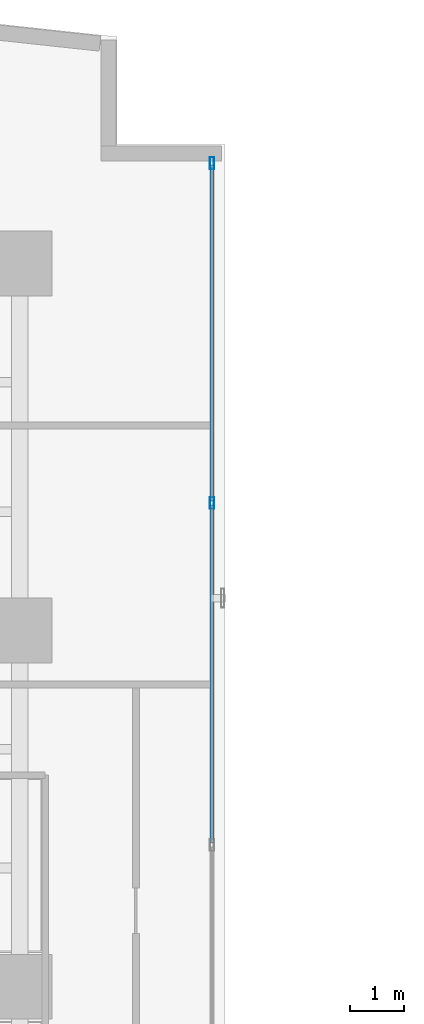
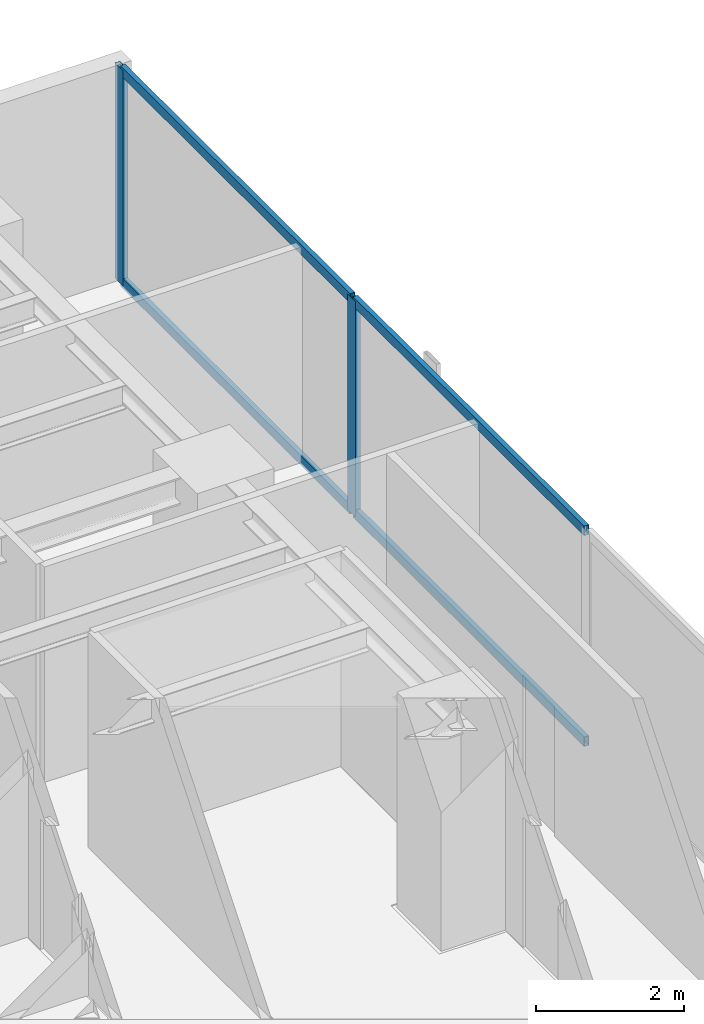
# One storey, part 17 of 26: 6 members, 1 element without a shape of its own.
"""IFC4 building model written with IfcOpenShell, lengths in metres."""

import ifcopenshell
import ifcopenshell.guid

model = None  # the IFC model being written
_history = None  # IfcOwnerHistory: only IFC2X3 demands one
_inside = {}  # id of a spatial element -> (the spatial element, [elements in it])
_under = {}  # id of a project, library or spatial element -> (it, [spatial elements below it])
_declared = {}  # id of a project -> (the project, [libraries it declares])
_typed = {}  # id of a type object -> (the type object, [elements of that type])
_made_of = {}  # id of a material, layer set ... -> (it, [elements and type objects made of it])


def new_model(schema):
    """Start an empty IFC model of exactly this schema.

    Asked for "IFC4X3", IfcOpenShell would pick the latest addendum, in which some entities
    have other attributes; the version numbers below select the first issue.
    IFC2X3 requires an IfcOwnerHistory on every rooted entity: one is made here for all.
    """
    global model, _history
    if schema == "IFC4X3":
        model = ifcopenshell.file(schema_version=(4, 3, 0, 0))
    else:
        model = ifcopenshell.file(schema=schema)
    _inside.clear()
    _under.clear()
    _declared.clear()
    _typed.clear()
    _made_of.clear()
    _history = None
    if model.schema == "IFC2X3":
        org = make("IfcOrganization", Name="unknown")
        user = make(
            "IfcPersonAndOrganization",
            ThePerson=make("IfcPerson", FamilyName="unknown"),
            TheOrganization=org,
        )
        app = make(
            "IfcApplication",
            ApplicationDeveloper=org,
            Version="unknown",
            ApplicationFullName="unknown",
            ApplicationIdentifier="unknown",
        )
        _history = make(
            "IfcOwnerHistory",
            OwningUser=user,
            OwningApplication=app,
            ChangeAction="ADDED",
            CreationDate=0,
        )
    return model


def make(cls, **values):
    """One entity of the class cls with the attributes given. An attribute that is None is left unset."""
    return model.create_entity(
        cls, **{name: value for name, value in values.items() if value is not None}
    )


def rooted(cls, **values):
    """An entity with a GlobalId (a new one), such as an element, a storey or a relation."""
    return make(cls, GlobalId=ifcopenshell.guid.new(), OwnerHistory=_history, **values)


def si_unit(unit_type, name, prefix=None):
    """IfcSIUnit, for example si_unit("LENGTHUNIT", "METRE", prefix="MILLI")."""
    return make("IfcSIUnit", UnitType=unit_type, Prefix=prefix, Name=name)


def assignment(units):
    """IfcUnitAssignment: the units of a project."""
    return None if units is None else make("IfcUnitAssignment", Units=units)


def point(xyz):
    """IfcCartesianPoint."""
    return None if xyz is None else make("IfcCartesianPoint", Coordinates=xyz)


def direction(xyz):
    """IfcDirection."""
    return None if xyz is None else make("IfcDirection", DirectionRatios=xyz)


def frame(location, z_axis=None, x_axis=None):
    """IfcAxis2Placement3D, a coordinate frame: its origin and axes. An axis left out is left unset."""
    return make(
        "IfcAxis2Placement3D",
        Location=point(location),
        Axis=direction(z_axis),
        RefDirection=direction(x_axis),
    )


def frame_2d(location, x_axis=None):
    """IfcAxis2Placement2D, a coordinate frame in the plane: its origin and x axis."""
    return make(
        "IfcAxis2Placement2D", Location=point(location), RefDirection=direction(x_axis)
    )


def origin():
    """The frame at (0, 0, 0) with its axes left unset."""
    return frame((0.0, 0.0, 0.0))


def origin_with_axes():
    """The frame at (0, 0, 0) with the z axis (0, 0, 1) and the x axis (1, 0, 0) written out."""
    return frame((0.0, 0.0, 0.0), z_axis=(0.0, 0.0, 1.0), x_axis=(1.0, 0.0, 0.0))


def origin_2d():
    """The frame at (0, 0) in the plane with its x axis left unset."""
    return frame_2d((0.0, 0.0))


def place(relative_to, where):
    """IfcLocalPlacement: puts the frame where relative to a parent placement (None: the world)."""
    return make(
        "IfcLocalPlacement", PlacementRelTo=relative_to, RelativePlacement=where
    )


def context(
    kind, dimensions, precision=None, world=None, true_north=None, identifier=None
):
    """IfcGeometricRepresentationContext, for example the 3D "Model" context."""
    return make(
        "IfcGeometricRepresentationContext",
        ContextIdentifier=identifier,
        ContextType=kind,
        CoordinateSpaceDimension=dimensions,
        Precision=precision,
        WorldCoordinateSystem=world,
        TrueNorth=true_north,
    )


def subcontext(parent, identifier, kind, view, scale=None):
    """IfcGeometricRepresentationSubContext, for example "Body" below "Model"."""
    return make(
        "IfcGeometricRepresentationSubContext",
        ContextIdentifier=identifier,
        ContextType=kind,
        ParentContext=parent,
        TargetScale=scale,
        TargetView=view,
    )


def project(units=None, contexts=None):
    """IfcProject with its units and contexts."""
    return rooted(
        "IfcProject",
        Name="project",
        RepresentationContexts=contexts,
        UnitsInContext=assignment(units),
    )


def spatial(cls, under=None, at=None, **own):
    """A site, building, storey or space (cls), placed at a placement, below another one or the project."""
    s = rooted(cls, ObjectPlacement=at, **own)
    if under is not None:
        _under.setdefault(under.id(), (under, []))[1].append(s)
    return s


def profile(cls, at=None, kind="AREA", **sizes):
    """A parametric profile (cls). Its sizes go by their IFC names, for example OverallWidth=200.0."""
    return make(cls, ProfileType=kind, Position=at, **sizes)


def hollow_rectangle(**sizes):
    """IfcRectangleHollowProfileDef."""
    return profile("IfcRectangleHollowProfileDef", **sizes)


def extrude(swept, where, along, depth):
    """IfcExtrudedAreaSolid: the profile swept, set in the frame where, extruded along a direction by depth."""
    return make(
        "IfcExtrudedAreaSolid",
        SweptArea=swept,
        Position=where,
        ExtrudedDirection=direction(along),
        Depth=depth,
    )


def shape(context_of_items, identifier, shape_type, items):
    """IfcShapeRepresentation: the items that make up one representation, for example the "Body"."""
    return make(
        "IfcShapeRepresentation",
        ContextOfItems=context_of_items,
        RepresentationIdentifier=identifier,
        RepresentationType=shape_type,
        Items=items,
    )


def source(mapping_origin, context_of_items, identifier, shape_type, items):
    """IfcRepresentationMap: a shape defined once, which mapped items show again and again."""
    return make(
        "IfcRepresentationMap",
        MappingOrigin=mapping_origin,
        MappedRepresentation=shape(context_of_items, identifier, shape_type, items),
    )


def transform(
    local_origin,
    x_axis=None,
    y_axis=None,
    z_axis=None,
    scale=None,
    scale2=None,
    scale3=None,
    uniform=True,
):
    """IfcCartesianTransformationOperator3D, or its non-uniform kind. x_axis, y_axis, z_axis: its Axis1, 2, 3."""
    if uniform:
        return make(
            "IfcCartesianTransformationOperator3D",
            Axis1=direction(x_axis),
            Axis2=direction(y_axis),
            LocalOrigin=point(local_origin),
            Scale=scale,
            Axis3=direction(z_axis),
        )
    return make(
        "IfcCartesianTransformationOperator3DnonUniform",
        Axis1=direction(x_axis),
        Axis2=direction(y_axis),
        LocalOrigin=point(local_origin),
        Scale=scale,
        Axis3=direction(z_axis),
        Scale2=scale2,
        Scale3=scale3,
    )


def mapped(mapping_source, mapping_target):
    """IfcMappedItem: shows the shape of a source again, moved by a transform."""
    return make(
        "IfcMappedItem", MappingSource=mapping_source, MappingTarget=mapping_target
    )


def material(Name=None, Category=None):
    """IfcMaterial."""
    return make("IfcMaterial", Name=Name, Category=Category)


def layer(
    of_material, thickness, ventilated=None, Name=None, Category=None, Priority=None
):
    """IfcMaterialLayer: one layer of a wall or slab, of a material (None: an air gap)."""
    return make(
        "IfcMaterialLayer",
        Material=of_material,
        LayerThickness=thickness,
        IsVentilated=ventilated,
        Name=Name,
        Category=Category,
        Priority=Priority,
    )


def layer_set(layers, Name=None):
    """IfcMaterialLayerSet."""
    return make("IfcMaterialLayerSet", MaterialLayers=layers, LayerSetName=Name)


def material_profile(
    of_material, cross_section, Name=None, Category=None, Priority=None
):
    """IfcMaterialProfile: a cross section and its material."""
    return make(
        "IfcMaterialProfile",
        Name=Name,
        Material=of_material,
        Profile=cross_section,
        Priority=Priority,
        Category=Category,
    )


def profile_set(profiles, Name=None, composite=None):
    """IfcMaterialProfileSet."""
    return make(
        "IfcMaterialProfileSet",
        Name=Name,
        MaterialProfiles=profiles,
        CompositeProfile=composite,
    )


def made_of(thing, what):
    """Note that an element or type object is made of a material, layer set ...; save() writes the relation."""
    if what is not None:
        _made_of.setdefault(what.id(), (what, []))[1].append(thing)
    return thing


def type_object(cls, material=None, **own):
    """A type object (cls), such as IfcWallType, which elements share."""
    return made_of(rooted(cls, **own), material)


def element(
    cls,
    number,
    at=None,
    inside=None,
    cuts=None,
    type_object=None,
    material=None,
    context=None,
    identifier="Body",
    shape_type=None,
    held_by="IfcProductDefinitionShape",
    body=None,
    shapes=None,
    **own,
):
    """One element of the class cls, such as IfcWall. Its Tag is "e" and its number.

    at: its placement. inside: the storey or other place that contains it. cuts: it is an
    opening in that element (IfcRelVoidsElement). A single representation is given by context,
    identifier, shape_type and body (its items); several are given by shapes. held_by: the class
    of the entity that holds the representations. save() writes the other relations.
    """
    e = rooted(cls, Tag="e%d" % number, ObjectPlacement=at, **own)
    if body is not None:
        shapes = [shape(context, identifier, shape_type, body)]
    if shapes is not None:
        e.Representation = make(held_by, Representations=shapes)
    if inside is not None:
        _inside.setdefault(inside.id(), (inside, []))[1].append(e)
    if cuts is not None:
        rooted(
            "IfcRelVoidsElement", RelatingBuildingElement=cuts, RelatedOpeningElement=e
        )
    if type_object is not None:
        _typed.setdefault(type_object.id(), (type_object, []))[1].append(e)
    return made_of(e, material)


def aggregate(whole, parts):
    """IfcRelAggregates: a whole, such as a stair, and the parts it consists of."""
    return rooted("IfcRelAggregates", RelatingObject=whole, RelatedObjects=parts)


def save(model, path):
    """Write the relations noted so far, then the file.

    IfcRelAggregates (storeys below a building ...), IfcRelContainedInSpatialStructure (elements
    in a storey), IfcRelDefinesByType, IfcRelAssociatesMaterial and IfcRelDeclares: one each for
    every whole, place, type object, material and project.
    """
    for whole, parts in _under.values():
        aggregate(whole, parts)
    for where, things in _inside.values():
        rooted(
            "IfcRelContainedInSpatialStructure",
            RelatedElements=things,
            RelatingStructure=where,
        )
    for kind, things in _typed.values():
        rooted("IfcRelDefinesByType", RelatedObjects=things, RelatingType=kind)
    for what, things in _made_of.values():
        rooted("IfcRelAssociatesMaterial", RelatedObjects=things, RelatingMaterial=what)
    for by, libraries in _declared.values():
        rooted("IfcRelDeclares", RelatingContext=by, RelatedDefinitions=libraries)
    model.write(path)


model = new_model("IFC4")

# Units and contexts
model_context = context("Model", 3, precision=1e-05, world=origin(), true_north=direction((0.0, 1.0)))
body_context = subcontext(model_context, "Body", "Model", "MODEL_VIEW")
ifc_project = project(units=[si_unit("LENGTHUNIT", "METRE"), si_unit("AREAUNIT", "SQUARE_METRE"), si_unit("VOLUMEUNIT", "CUBIC_METRE"), si_unit("PLANEANGLEUNIT", "RADIAN"), si_unit("MASSUNIT", "GRAM", prefix="KILO")], contexts=[model_context])

# Site, building, storey
site_placement = place(None, origin())
site = spatial("IfcSite", under=ifc_project, at=site_placement, CompositionType="ELEMENT")
building_placement = place(site_placement, origin())
building = spatial("IfcBuilding", under=site, at=building_placement, Name="Kolvaren Waterfront Exchange", CompositionType="ELEMENT")
storey_placement = place(building_placement, frame((0.0, 0.0, 150.0)))
storey = spatial("IfcBuildingStorey", under=building, at=storey_placement, Name="L38", CompositionType="ELEMENT", Elevation=150.0)

# Curtain wall, members
ifc_material_1 = material(Name="Anodised bronze aluminium 6063-T6", Category="aluminium")
ifc_layer = layer(ifc_material_1, 0.219970703125, Name="Anodised bronze aluminium 6063-T6")
ifc_layer_set = layer_set([ifc_layer], Name="Anodised bronze aluminium 6063-T6")
curtain_wall_type = type_object("IfcCurtainWallType", Name="ARC-CW-SYS1", PredefinedType="USERDEFINED", material=ifc_layer_set)
curtain_wall_placement = place(storey_placement, origin())
curtain_wall = element("IfcCurtainWall", 1, at=curtain_wall_placement, inside=storey, type_object=curtain_wall_type, Name="L38 stick curtain wall CW1 (CW-L38-NE)", ObjectType="STICK CURTAIN WALL", PredefinedType="USERDEFINED")
ifc_material_2 = material(Name="Anodised aluminium 6063-T6", Category="aluminium")
ifc_material_profile_1 = material_profile(ifc_material_2, hollow_rectangle(XDim=0.080078125, YDim=0.219970703125, WallThickness=0.0048828125, at=origin_2d()), Name="ALU-MUL-220x80x5")
ifc_profile_set_1 = profile_set([ifc_material_profile_1], Name="Anodised aluminium 6063-T6")
member_type_1 = type_object("IfcMemberType", Name="ARC-CWM-220", PredefinedType="MULLION", material=ifc_profile_set_1)
shared_shape_1 = source(origin_with_axes(), body_context, "Body", "SweptSolid", [
    extrude(hollow_rectangle(XDim=0.080078125, YDim=0.219970703125, WallThickness=0.0048828125, at=origin_2d()), origin(), (0.0, 0.0, 1.0), 3.56005859375),
])
member_1_placement = place(storey_placement, frame((22.360107421875, 40.163330078125, 0.0), z_axis=(0.0, 0.0, 1.0), x_axis=(-1.0, 0.0, 0.0)))
member_1 = element("IfcMember", 2, at=member_1_placement, type_object=member_type_1, Name="CW1 mullion 3", PredefinedType="MULLION", context=body_context, shape_type="MappedRepresentation", body=[
    mapped(shared_shape_1, transform((0.0, 0.0, 0.0), x_axis=(1.0, 0.0, 0.0), y_axis=(0.0, 1.0, 0.0), z_axis=(0.0, 0.0, 1.0), scale=1.0)),
])
member_2_placement = place(storey_placement, frame((22.360107421875, 46.4599609375, 0.0), z_axis=(0.0, 0.0, 1.0), x_axis=(-1.0, 0.0, 0.0)))
member_2 = element("IfcMember", 3, at=member_2_placement, type_object=member_type_1, Name="CW1 mullion 4", PredefinedType="MULLION", context=body_context, shape_type="MappedRepresentation", body=[
    mapped(shared_shape_1, transform((0.0, 0.0, 0.0), x_axis=(1.0, 0.0, 0.0), y_axis=(0.0, 1.0, 0.0), z_axis=(0.0, 0.0, 1.0), scale=1.0)),
])
ifc_material_profile_2 = material_profile(ifc_material_2, hollow_rectangle(XDim=0.074951171875, YDim=0.159912109375, WallThickness=0.00439453125, at=origin_2d()), Name="ALU-TRN-160x75x4.5")
ifc_profile_set_2 = profile_set([ifc_material_profile_2], Name="Anodised aluminium 6063-T6")
member_type_2 = type_object("IfcMemberType", Name="ARC-CWT-160", PredefinedType="USERDEFINED", material=ifc_profile_set_2)
shared_shape_2 = source(origin_with_axes(), body_context, "Body", "SweptSolid", [
    extrude(hollow_rectangle(XDim=0.074951171875, YDim=0.159912109375, WallThickness=0.00439453125, at=origin_2d()), origin(), (0.0, 0.0, 1.0), 6.216552734375),
])
member_3_placement = place(storey_placement, frame((22.360107421875, 40.203369140625, 0.03759765625), z_axis=(0.0, 1.0, 0.0), x_axis=(-1.0, 0.0, 0.0)))
member_3 = element("IfcMember", 4, at=member_3_placement, type_object=member_type_2, Name="CW1 transom 3.1", ObjectType="TRANSOM", PredefinedType="USERDEFINED", context=body_context, shape_type="MappedRepresentation", body=[
    mapped(shared_shape_2, transform((0.0, 0.0, 0.0), x_axis=(1.0, 0.0, 0.0), y_axis=(0.0, 1.0, 0.0), z_axis=(0.0, 0.0, 1.0), scale=1.0)),
])
member_4_placement = place(storey_placement, frame((22.360107421875, 40.203369140625, 3.5224609375), z_axis=(0.0, 1.0, 0.0), x_axis=(-1.0, 0.0, 0.0)))
member_4 = element("IfcMember", 5, at=member_4_placement, type_object=member_type_2, Name="CW1 transom 3.2", ObjectType="TRANSOM", PredefinedType="USERDEFINED", context=body_context, shape_type="MappedRepresentation", body=[
    mapped(shared_shape_2, transform((0.0, 0.0, 0.0), x_axis=(1.0, 0.0, 0.0), y_axis=(0.0, 1.0, 0.0), z_axis=(0.0, 0.0, 1.0), scale=1.0)),
])
shared_shape_3 = source(origin_with_axes(), body_context, "Body", "SweptSolid", [
    extrude(hollow_rectangle(XDim=0.074951171875, YDim=0.159912109375, WallThickness=0.00439453125, at=origin_2d()), origin(), (0.0, 0.0, 1.0), 6.256591796875),
])
member_5_placement = place(storey_placement, frame((22.360107421875, 33.86669921875, 0.03759765625), z_axis=(0.0, 1.0, 0.0), x_axis=(-1.0, 0.0, 0.0)))
member_5 = element("IfcMember", 6, at=member_5_placement, type_object=member_type_2, Name="CW1 transom 2.1", ObjectType="TRANSOM", PredefinedType="USERDEFINED", context=body_context, shape_type="MappedRepresentation", body=[
    mapped(shared_shape_3, transform((0.0, 0.0, 0.0), x_axis=(1.0, 0.0, 0.0), y_axis=(0.0, 1.0, 0.0), z_axis=(0.0, 0.0, 1.0), scale=1.0)),
])
member_6_placement = place(storey_placement, frame((22.360107421875, 33.86669921875, 3.5224609375), z_axis=(0.0, 1.0, 0.0), x_axis=(-1.0, 0.0, 0.0)))
member_6 = element("IfcMember", 7, at=member_6_placement, type_object=member_type_2, Name="CW1 transom 2.2", ObjectType="TRANSOM", PredefinedType="USERDEFINED", context=body_context, shape_type="MappedRepresentation", body=[
    mapped(shared_shape_3, transform((0.0, 0.0, 0.0), x_axis=(1.0, 0.0, 0.0), y_axis=(0.0, 1.0, 0.0), z_axis=(0.0, 0.0, 1.0), scale=1.0)),
])
aggregate(curtain_wall, [member_1, member_2, member_5, member_6, member_3, member_4])

save(model, "model.ifc")
